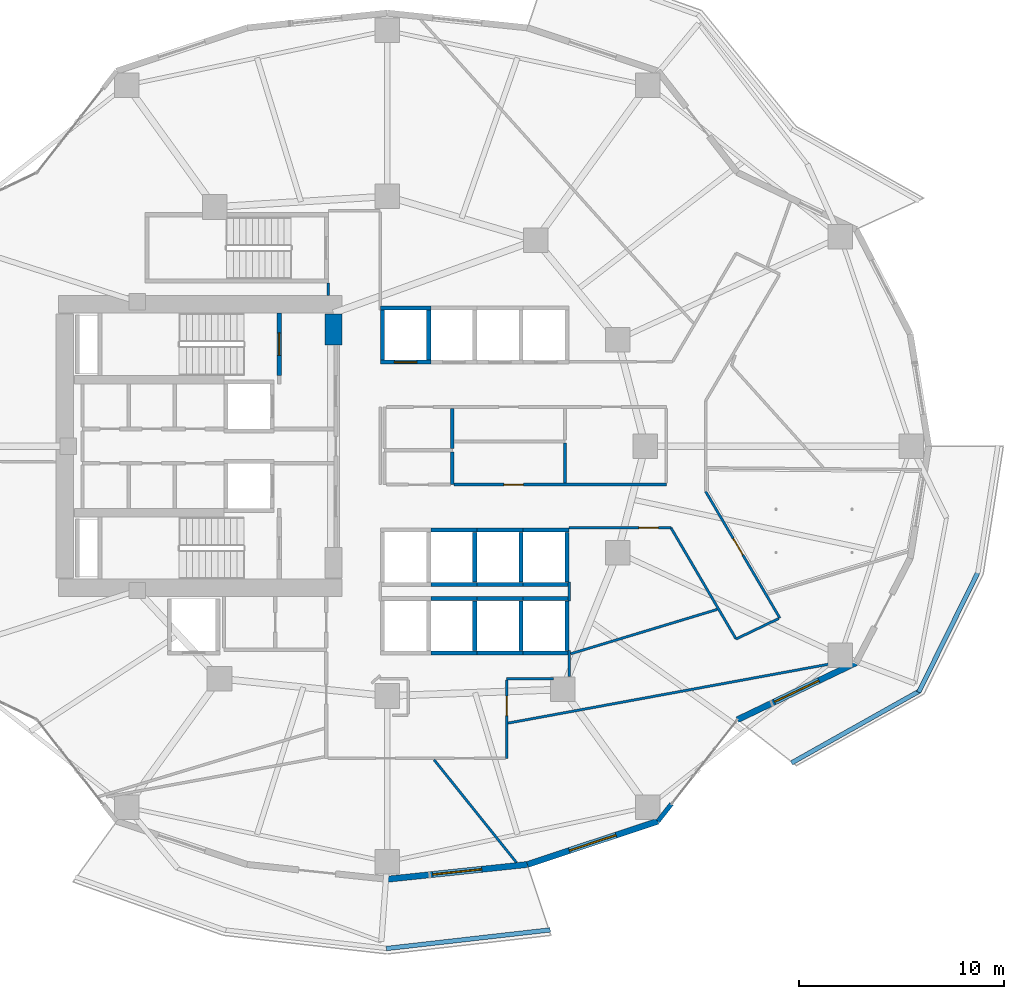
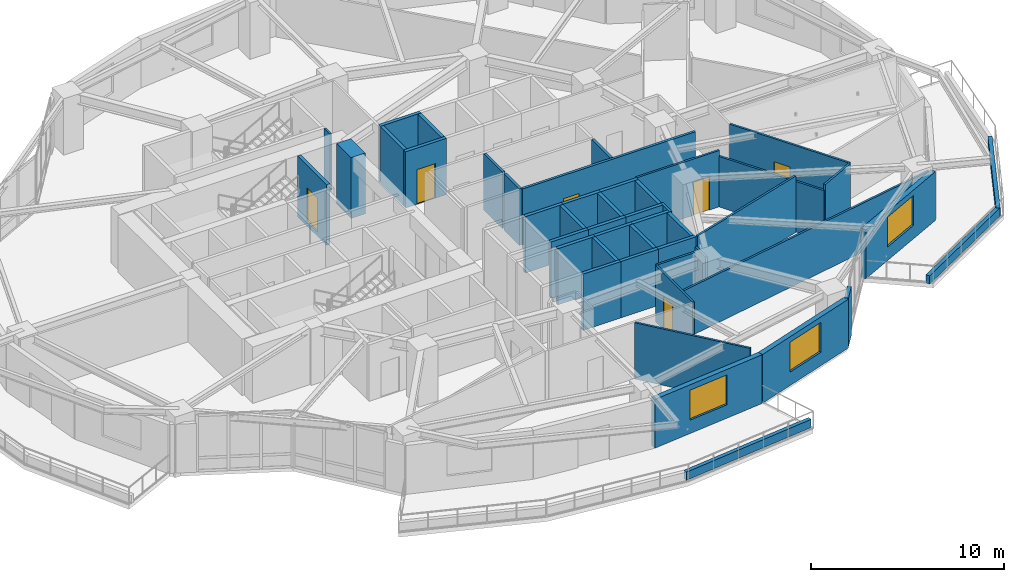
# One storey, part 10 of 18: 47 walls, 6 doors, 3 windows, 9 openings.
"""IFC4 building model written with IfcOpenShell, lengths in metres."""

from ifc_helpers import new_model, si_unit, direction, frame, frame_2d, origin, place, context, subcontext, project, spatial, rectangle, extrude, material, layer, layer_set, type_object, element, fill, save


model = new_model("IFC4")

# Units and contexts
model_context = context("Model", 3, precision=1e-05, world=origin(), true_north=direction((0.0, 1.0)))
body_context = subcontext(model_context, "Body", "Model", "MODEL_VIEW")
ifc_project = project(units=[si_unit("LENGTHUNIT", "METRE"), si_unit("AREAUNIT", "SQUARE_METRE"), si_unit("VOLUMEUNIT", "CUBIC_METRE"), si_unit("PLANEANGLEUNIT", "RADIAN"), si_unit("MASSUNIT", "GRAM", prefix="KILO")], contexts=[model_context])

# Site, building, storey
site_placement = place(None, origin())
site = spatial("IfcSite", under=ifc_project, at=site_placement, CompositionType="ELEMENT")
building_placement = place(site_placement, origin())
building = spatial("IfcBuilding", under=site, at=building_placement, Name="Kolvaren Gate Tower and Convention Centre", CompositionType="ELEMENT")
storey_placement = place(building_placement, frame((0.0, 0.0, 53.449951171875)))
storey = spatial("IfcBuildingStorey", under=building, at=storey_placement, Name="L12", CompositionType="ELEMENT", Elevation=53.449951171875)

# Wall
ifc_material_1 = material(Name="Fire-Rated Acoustic Gypsum Stud Partition", Category="gypsum")
ifc_layer_1 = layer(ifc_material_1, 0.1201171875)
ifc_layer_set_1 = layer_set([ifc_layer_1], Name="Fire-Rated Acoustic Gypsum Stud Partition")
wall_type_1 = type_object("IfcWallType", Name="ARCH-WL-PART-120", PredefinedType="PARTITIONING", material=ifc_layer_set_1)
wall_1_placement = place(storey_placement, frame((35.949951171875, 15.64990234375, 0.0), z_axis=(0.0, 0.0, 1.0), x_axis=(1.0, 0.0, 0.0)))
element("IfcWall", 1, at=wall_1_placement, inside=storey, type_object=wall_type_1, Name="Interior Partition WL-L12-INT-023", PredefinedType="PARTITIONING", context=body_context, shape_type="SweptSolid", body=[
    extrude(rectangle(XDim=2.291015625, YDim=0.1201171875, at=frame_2d((1.1455078125, 0.0))), origin(), (0.0, 0.0, 1.0), 3.570068359375),
])

# Wall, opening, door
wall_2_placement = place(storey_placement, frame((35.949951171875, 11.75, 0.0), z_axis=(0.0, 0.0, 1.0), x_axis=(0.0, 1.0, 0.0)))
wall_2 = element("IfcWall", 2, at=wall_2_placement, inside=storey, type_object=wall_type_1, Name="Interior Partition WL-L12-INT-024", PredefinedType="PARTITIONING", context=body_context, shape_type="SweptSolid", body=[
    extrude(rectangle(XDim=3.837890625, YDim=0.1201171875, at=frame_2d((1.9189453125, 0.0))), origin(), (0.0, 0.0, 1.0), 3.570068359375),
])
opening_1_placement = place(wall_2_placement, frame((2.092041015625, 0.0, 0.0)))
opening_1 = element("IfcOpeningElement", 3, at=opening_1_placement, cuts=wall_2, Name="Opening DR-01", PredefinedType="OPENING", context=body_context, shape_type="SweptSolid", body=[
    extrude(rectangle(XDim=0.949951171875, YDim=2.10009765625, at=frame_2d((0.47509765625, 1.050048828125))), frame((0.0, 0.070068359375, 0.0), z_axis=(0.0, -1.0, 0.0), x_axis=(1.0, 0.0, 0.0)), (0.0, 0.0, 1.0), 0.14013671875),
])
ifc_material_2 = material(Name="Painted Architectural Steelwork ASTM A500 Grade C 345 MPa", Category="steel")
door_type_1 = type_object("IfcDoorType", Name="ARCH-DR-RISER-950", OperationType="SINGLE_SWING_RIGHT", PredefinedType="DOOR", material=ifc_material_2)
door_1_placement = place(opening_1_placement, origin())
door_1 = element("IfcDoor", 4, at=door_1_placement, inside=storey, type_object=door_type_1, Name="Client Concierge Reception Door", OperationType="SINGLE_SWING_RIGHT", OverallHeight=2.10009765625, OverallWidth=0.949951171875, PredefinedType="DOOR", context=body_context, shape_type="SweptSolid", body=[
    extrude(rectangle(XDim=0.949951171875, YDim=2.10009765625, at=frame_2d((0.47509765625, 1.050048828125))), frame((0.0, 0.02490234375, 0.0), z_axis=(0.0, -1.0, 0.0), x_axis=(1.0, 0.0, 0.0)), (0.0, 0.0, 1.0), 0.050048828125),
])
fill(opening_1, door_1)

# Wall
wall_3_placement = place(storey_placement, frame((27.25, 34.35205078125, 0.0), z_axis=(0.0, 0.0, 1.0), x_axis=(0.0, 1.0, 0.0)))
element("IfcWall", 5, at=wall_3_placement, inside=storey, type_object=wall_type_1, Name="Interior Partition WL-L12-INT-026", PredefinedType="PARTITIONING", context=body_context, shape_type="SweptSolid", body=[
    extrude(rectangle(XDim=0.60595703125, YDim=0.1201171875, at=frame_2d((0.302978515625, 0.0))), origin(), (0.0, 0.0, 1.0), 3.570068359375),
])

# Wall, opening, door
wall_4_placement = place(storey_placement, frame((45.669921875, 24.79296875, 0.0), z_axis=(0.0, 0.0, 1.0), x_axis=(0.505584917928, -0.862776848764, 0.0)))
wall_4 = element("IfcWall", 6, at=wall_4_placement, inside=storey, type_object=wall_type_1, Name="Interior Partition WL-L12-INT-036", PredefinedType="PARTITIONING", context=body_context, shape_type="SweptSolid", body=[
    extrude(rectangle(XDim=7.169921875, YDim=0.1201171875, at=frame_2d((3.5849609375, 0.0))), origin(), (0.0, 0.0, 1.0), 3.570068359375),
])
opening_2_placement = place(wall_4_placement, frame((2.656494140625, 0.0, 0.0)))
opening_2 = element("IfcOpeningElement", 7, at=opening_2_placement, cuts=wall_4, Name="Opening DR-01", PredefinedType="OPENING", context=body_context, shape_type="SweptSolid", body=[
    extrude(rectangle(XDim=0.949951171875, YDim=2.10009765625, at=frame_2d((0.47509765625, 1.050048828125))), frame((0.0, 0.070068359375, 0.0), z_axis=(0.0, -1.0, 0.0), x_axis=(1.0, 0.0, 0.0)), (0.0, 0.0, 1.0), 0.14013671875),
])
door_2_placement = place(opening_2_placement, origin())
door_2 = element("IfcDoor", 8, at=door_2_placement, inside=storey, type_object=door_type_1, Name="Materials Exhibition Boutique Door", OperationType="SINGLE_SWING_RIGHT", OverallHeight=2.10009765625, OverallWidth=0.949951171875, PredefinedType="DOOR", context=body_context, shape_type="SweptSolid", body=[
    extrude(rectangle(XDim=0.949951171875, YDim=2.10009765625, at=frame_2d((0.47509765625, 1.050048828125))), frame((0.0, 0.02490234375, 0.0), z_axis=(0.0, -1.0, 0.0), x_axis=(1.0, 0.0, 0.0)), (0.0, 0.0, 1.0), 0.050048828125),
])
fill(opening_2, door_2)

# Walls
wall_5_placement = place(storey_placement, frame((47.160888671875, 17.5810546875, 0.0), z_axis=(0.0, 0.0, 1.0), x_axis=(0.901265146481, 0.433267972204, 0.0)))
element("IfcWall", 9, at=wall_5_placement, inside=storey, type_object=wall_type_1, Name="Interior Partition WL-L12-INT-037", PredefinedType="PARTITIONING", context=body_context, shape_type="SweptSolid", body=[
    extrude(rectangle(XDim=2.305908203125, YDim=0.1201171875, at=frame_2d((1.15283203125, 0.0))), origin(), (0.0, 0.0, 1.0), 3.570068359375),
])
wall_6_placement = place(storey_placement, frame((43.97412109375, 23.02001953125, 0.0), z_axis=(0.0, 0.0, 1.0), x_axis=(0.505531634194, -0.862808070679, 0.0)))
element("IfcWall", 10, at=wall_6_placement, inside=storey, type_object=wall_type_1, Name="Interior Partition WL-L12-INT-038", PredefinedType="PARTITIONING", context=body_context, shape_type="SweptSolid", body=[
    extrude(rectangle(XDim=6.3037109375, YDim=0.1201171875, at=frame_2d((3.15185546875, 0.0))), origin(), (0.0, 0.0, 1.0), 3.205078125),
])

# Wall, opening, door
wall_7_placement = place(storey_placement, frame((39.0, 23.02001953125, 0.0), z_axis=(0.0, 0.0, 1.0), x_axis=(1.0, 0.0, 0.0)))
wall_7 = element("IfcWall", 11, at=wall_7_placement, inside=storey, type_object=wall_type_1, Name="Interior Partition WL-L12-INT-039", PredefinedType="PARTITIONING", context=body_context, shape_type="SweptSolid", body=[
    extrude(rectangle(XDim=4.97412109375, YDim=0.1201171875, at=frame_2d((2.487060546875, 0.0))), origin(), (0.0, 0.0, 1.0), 3.570068359375),
])
opening_3_placement = place(wall_7_placement, frame((3.412109375, 0.0, 0.0)))
opening_3 = element("IfcOpeningElement", 12, at=opening_3_placement, cuts=wall_7, Name="Opening DR-01", PredefinedType="OPENING", context=body_context, shape_type="SweptSolid", body=[
    extrude(rectangle(XDim=0.949951171875, YDim=2.10009765625, at=frame_2d((0.47509765625, 1.050048828125))), frame((0.0, 0.070068359375, 0.0), z_axis=(0.0, -1.0, 0.0), x_axis=(1.0, 0.0, 0.0)), (0.0, 0.0, 1.0), 0.14013671875),
])
door_3_placement = place(opening_3_placement, origin())
door_3 = element("IfcDoor", 13, at=door_3_placement, inside=storey, type_object=door_type_1, Name="Client Concierge Reception Door", OperationType="SINGLE_SWING_LEFT", OverallHeight=2.10009765625, OverallWidth=0.949951171875, PredefinedType="DOOR", context=body_context, shape_type="SweptSolid", body=[
    extrude(rectangle(XDim=0.949951171875, YDim=2.10009765625, at=frame_2d((0.47509765625, 1.050048828125))), frame((0.0, 0.02490234375, 0.0), z_axis=(0.0, -1.0, 0.0), x_axis=(1.0, 0.0, 0.0)), (0.0, 0.0, 1.0), 0.050048828125),
])
fill(opening_3, door_3)

# Walls
wall_8_placement = place(storey_placement, frame((39.02001953125, 15.741943359375, 0.0), z_axis=(0.0, 0.0, 1.0), x_axis=(0.0, 1.0, 0.0)))
element("IfcWall", 14, at=wall_8_placement, inside=storey, type_object=wall_type_1, Name="Interior Partition WL-L12-INT-040", PredefinedType="PARTITIONING", context=body_context, shape_type="SweptSolid", body=[
    extrude(rectangle(XDim=1.26806640625, YDim=0.1201171875, at=frame_2d((0.634033203125, 0.0))), origin(), (0.0, 0.0, 1.0), 2.93408203125),
])
wall_9_placement = place(storey_placement, frame((39.02001953125, 19.43994140625, 0.0), z_axis=(0.0, 0.0, 1.0), x_axis=(0.0, 1.0, 0.0)))
element("IfcWall", 15, at=wall_9_placement, inside=storey, type_object=wall_type_1, Name="Interior Partition WL-L12-INT-040 (2)", PredefinedType="PARTITIONING", context=body_context, shape_type="SweptSolid", body=[
    extrude(rectangle(XDim=0.920166015625, YDim=0.1201171875, at=frame_2d((0.4599609375, 0.0))), origin(), (0.0, 0.0, 1.0), 3.570068359375),
])
wall_10_placement = place(storey_placement, frame((39.08203125, 16.860107421875, 0.0), z_axis=(0.0, 0.0, 1.0), x_axis=(0.957120973048, 0.289688527476, 0.0)))
element("IfcWall", 16, at=wall_10_placement, inside=storey, type_object=wall_type_1, Name="Interior Partition WL-L12-INT-048", PredefinedType="PARTITIONING", context=body_context, shape_type="SweptSolid", body=[
    extrude(rectangle(XDim=7.48046875, YDim=0.1201171875, at=frame_2d((3.740234375, 0.0))), origin(), (0.0, 0.0, 1.0), 3.570068359375),
])
wall_11_placement = place(storey_placement, frame((36.011962890625, 13.4716796875, 0.0), z_axis=(0.0, 0.0, 1.0), x_axis=(0.983545247648, 0.180661965641, 0.0)))
element("IfcWall", 17, at=wall_11_placement, inside=storey, type_object=wall_type_1, Name="Interior Partition WL-L12-INT-051", PredefinedType="PARTITIONING", context=body_context, shape_type="SweptSolid", body=[
    extrude(rectangle(XDim=17.0732421875, YDim=0.1201171875, at=frame_2d((8.53662109375, 0.0))), origin(), (0.0, 0.0, 1.0), 3.093017578125),
])
wall_12_placement = place(storey_placement, frame((32.40771484375, 11.68798828125, 0.0), z_axis=(0.0, 0.0, 1.0), x_axis=(0.625707614962, -0.780057677725, 0.0)))
element("IfcWall", 18, at=wall_12_placement, inside=storey, type_object=wall_type_1, Name="Interior Partition WL-L12-INT-052", PredefinedType="PARTITIONING", context=body_context, shape_type="SweptSolid", body=[
    extrude(rectangle(XDim=6.43603515625, YDim=0.1201171875, at=frame_2d((3.218017578125, 0.0))), origin(), (0.0, 0.0, 1.0), 3.570068359375),
])
ifc_material_3 = material(Name="Bogota Sabana Bush-Hammered Sandstone Cladding", Category="masonry")
ifc_layer_2 = layer(ifc_material_3, 0.219970703125)
ifc_layer_set_2 = layer_set([ifc_layer_2], Name="Bogota Sabana Bush-Hammered Sandstone Cladding")
wall_type_2 = type_object("IfcWallType", Name="ARCH-WL-PIER-220", PredefinedType="SOLIDWALL", material=ifc_layer_set_2)
wall_13_placement = place(storey_placement, frame((43.34375, 8.68359375, 0.0), z_axis=(0.0, 0.0, 1.0), x_axis=(0.616387780378, 0.787442762492, 0.0)))
element("IfcWall", 19, at=wall_13_placement, inside=storey, type_object=wall_type_2, Name="Tower L12 Unitised Curtain Wall CW-OFF-UNIT Bay 20 Left Column Pier Wrap", PredefinedType="SOLIDWALL", context=body_context, shape_type="SweptSolid", body=[
    extrude(rectangle(XDim=1.076171875, YDim=0.219970703125, at=frame_2d((0.5380859375, 0.0))), origin(), (0.0, 0.0, 1.0), 3.093017578125),
])
ifc_material_4 = material(Name="Piedmont Cream Honed Limestone Cladding", Category="masonry")
ifc_layer_3 = layer(ifc_material_4, 0.219970703125)
ifc_layer_set_3 = layer_set([ifc_layer_3], Name="Piedmont Cream Honed Limestone Cladding")
wall_type_3 = type_object("IfcWallType", Name="ARCH-WL-PLANTER-220", PredefinedType="PARAPET", material=ifc_layer_set_3)
wall_14_placement = place(storey_placement, frame((30.07958984375, 2.46630859375, 0.0), z_axis=(0.0, 0.0, 1.0), x_axis=(0.993598144351, 0.112972242349, 0.0)))
element("IfcWall", 20, at=wall_14_placement, inside=storey, type_object=wall_type_3, Name="Vertical-Forest Balcony Stone Planter Kerb PK-L12-3.3", PredefinedType="PARAPET", context=body_context, shape_type="SweptSolid", body=[
    extrude(rectangle(XDim=8.056396484375, YDim=0.219970703125, at=frame_2d((4.0283203125, 0.0))), origin(), (0.0, 0.0, 1.0), 0.52001953125),
])
wall_15_placement = place(storey_placement, frame((49.867919921875, 11.530517578125, 0.0), z_axis=(0.0, 0.0, 1.0), x_axis=(0.871775109335, 0.489906275468, 0.0)))
element("IfcWall", 21, at=wall_15_placement, inside=storey, type_object=wall_type_3, Name="Vertical-Forest Balcony Stone Planter Kerb PK-L12-4.1", PredefinedType="PARAPET", context=body_context, shape_type="SweptSolid", body=[
    extrude(rectangle(XDim=7.152099609375, YDim=0.219970703125, at=frame_2d((3.576171875, 0.0))), origin(), (0.0, 0.0, 1.0), 0.52001953125),
])
wall_16_placement = place(storey_placement, frame((56.077392578125, 14.978515625, 0.0), z_axis=(0.0, 0.0, 1.0), x_axis=(0.442686636348, 0.89667638644, 0.0)))
element("IfcWall", 22, at=wall_16_placement, inside=storey, type_object=wall_type_3, Name="Vertical-Forest Balcony Stone Planter Kerb PK-L12-4.2", PredefinedType="PARAPET", context=body_context, shape_type="SweptSolid", body=[
    extrude(rectangle(XDim=6.544677734375, YDim=0.219970703125, at=frame_2d((3.2724609375, 0.0))), origin(), (0.0, 0.0, 1.0), 0.52001953125),
])
ifc_material_5 = material(Name="Autoclaved Aerated Masonry Blockwork Class 4 (4.0 MPa)", Category="masonry")
ifc_layer_4 = layer(ifc_material_5, 0.199951171875)
ifc_layer_set_4 = layer_set([ifc_layer_4], Name="Autoclaved Aerated Masonry Blockwork Class 4 (4.0 MPa)")
wall_type_4 = type_object("IfcWallType", Name="ARCH-WL-SHAFT-200", PredefinedType="SOLIDWALL", material=ifc_layer_set_4)
wall_17_placement = place(storey_placement, frame((29.800048828125, 33.75, 0.0), z_axis=(0.0, 0.0, 1.0), x_axis=(1.0, 0.0, 0.0)))
element("IfcWall", 23, at=wall_17_placement, inside=storey, type_object=wall_type_4, Name="Elevator PL-01 L12 Fire Shaft Wall N", PredefinedType="SOLIDWALL", context=body_context, shape_type="SweptSolid", body=[
    extrude(rectangle(XDim=2.449951171875, YDim=0.199951171875, at=frame_2d((1.22509765625, 0.0))), origin(), (0.0, 0.0, 1.0), 3.570068359375),
])

# Wall, opening, door
wall_18_placement = place(storey_placement, frame((29.800048828125, 31.10009765625, 0.0), z_axis=(0.0, 0.0, 1.0), x_axis=(1.0, 0.0, 0.0)))
wall_18 = element("IfcWall", 24, at=wall_18_placement, inside=storey, type_object=wall_type_4, Name="Elevator PL-01 L12 Fire Shaft Wall S", PredefinedType="SOLIDWALL", context=body_context, shape_type="SweptSolid", body=[
    extrude(rectangle(XDim=2.449951171875, YDim=0.199951171875, at=frame_2d((1.22509765625, 0.0))), origin(), (0.0, 0.0, 1.0), 3.570068359375),
])
opening_4_placement = place(wall_18_placement, frame((0.675048828125, 0.0, 0.0)))
opening_4 = element("IfcOpeningElement", 25, at=opening_4_placement, cuts=wall_18, Name="Opening LD", PredefinedType="OPENING", context=body_context, shape_type="SweptSolid", body=[
    extrude(rectangle(XDim=1.10009765625, YDim=2.199951171875, at=frame_2d((0.550048828125, 1.10009765625))), frame((0.0, 0.10986328125, 0.0), z_axis=(0.0, -1.0, 0.0), x_axis=(1.0, 0.0, 0.0)), (0.0, 0.0, 1.0), 0.219970703125),
])
ifc_material_6 = material(Name="Brushed Stainless Steel Grade 316L", Category="steel")
door_type_2 = type_object("IfcDoorType", Name="ARCH-DR-LIFT-1100", OperationType="SLIDING_TO_LEFT", PredefinedType="DOOR", material=ifc_material_6)
door_4_placement = place(opening_4_placement, origin())
door_4 = element("IfcDoor", 26, at=door_4_placement, inside=storey, type_object=door_type_2, Name="Elevator PL-01 L12 Sliding Landing Door", OperationType="SLIDING_TO_LEFT", OverallHeight=2.199951171875, OverallWidth=1.10009765625, PredefinedType="DOOR", context=body_context, shape_type="SweptSolid", body=[
    extrude(rectangle(XDim=1.10009765625, YDim=2.199951171875, at=frame_2d((0.550048828125, 1.10009765625))), frame((0.0, 0.02490234375, 0.0), z_axis=(0.0, -1.0, 0.0), x_axis=(1.0, 0.0, 0.0)), (0.0, 0.0, 1.0), 0.050048828125),
])
fill(opening_4, door_4)

# Walls
for number, where, z_axis, x_axis, name in (
    (27, (29.89990234375, 31.2099609375, 0.0), (0.0, 0.0, 1.0), (0.0, 1.0, 0.0), "Elevator PL-01 L12 Fire Shaft Wall W"),
    (28, (32.14990234375, 31.2099609375, 0.0), (0.0, 0.0, 1.0), (0.0, 1.0, 0.0), "Elevator PL-01 L12 Fire Shaft Wall E"),
):
    element("IfcWall", number, at=place(storey_placement, frame(where, z_axis=z_axis, x_axis=x_axis)), inside=storey, type_object=wall_type_4, Name=name, PredefinedType="SOLIDWALL", context=body_context, shape_type="SweptSolid", body=[
        extrude(rectangle(XDim=2.429931640625, YDim=0.199951171875, at=frame_2d((1.21484375, 0.0))), origin(), (0.0, 0.0, 1.0), 3.570068359375),
    ])
for number, where, z_axis, x_axis, name in (
    (29, (32.25, 19.550048828125, 0.0), (0.0, 0.0, 1.0), (1.0, 0.0, 0.0), "Elevator PL-06 L12 Fire Shaft Wall N"),
    (30, (32.25, 16.89990234375, 0.0), (0.0, 0.0, 1.0), (1.0, 0.0, 0.0), "Elevator PL-06 L12 Fire Shaft Wall S"),
):
    element("IfcWall", number, at=place(storey_placement, frame(where, z_axis=z_axis, x_axis=x_axis)), inside=storey, type_object=wall_type_4, Name=name, PredefinedType="SOLIDWALL", context=body_context, shape_type="SweptSolid", body=[
        extrude(rectangle(XDim=2.25, YDim=0.199951171875, at=frame_2d((1.125, 0.0))), origin(), (0.0, 0.0, 1.0), 3.570068359375),
    ])
wall_19_placement = place(storey_placement, frame((34.39990234375, 17.010009765625, 0.0), z_axis=(0.0, 0.0, 1.0), x_axis=(0.0, 1.0, 0.0)))
element("IfcWall", 31, at=wall_19_placement, inside=storey, type_object=wall_type_4, Name="Elevator PL-06 L12 Fire Shaft Wall E", PredefinedType="SOLIDWALL", context=body_context, shape_type="SweptSolid", body=[
    extrude(rectangle(XDim=2.429931640625, YDim=0.199951171875, at=frame_2d((1.21484375, 0.0))), origin(), (0.0, 0.0, 1.0), 3.570068359375),
])
for number, where, z_axis, x_axis, name in (
    (32, (34.5, 19.550048828125, 0.0), (0.0, 0.0, 1.0), (1.0, 0.0, 0.0), "Elevator PL-07 L12 Fire Shaft Wall N"),
    (33, (34.5, 16.89990234375, 0.0), (0.0, 0.0, 1.0), (1.0, 0.0, 0.0), "Elevator PL-07 L12 Fire Shaft Wall S"),
):
    element("IfcWall", number, at=place(storey_placement, frame(where, z_axis=z_axis, x_axis=x_axis)), inside=storey, type_object=wall_type_4, Name=name, PredefinedType="SOLIDWALL", context=body_context, shape_type="SweptSolid", body=[
        extrude(rectangle(XDim=2.25, YDim=0.199951171875, at=frame_2d((1.125, 0.0))), origin(), (0.0, 0.0, 1.0), 3.570068359375),
    ])
wall_20_placement = place(storey_placement, frame((36.64990234375, 17.010009765625, 0.0), z_axis=(0.0, 0.0, 1.0), x_axis=(0.0, 1.0, 0.0)))
element("IfcWall", 34, at=wall_20_placement, inside=storey, type_object=wall_type_4, Name="Elevator PL-07 L12 Fire Shaft Wall E", PredefinedType="SOLIDWALL", context=body_context, shape_type="SweptSolid", body=[
    extrude(rectangle(XDim=2.429931640625, YDim=0.199951171875, at=frame_2d((1.21484375, 0.0))), origin(), (0.0, 0.0, 1.0), 3.570068359375),
])
for number, where, z_axis, x_axis, name in (
    (35, (36.75, 19.550048828125, 0.0), (0.0, 0.0, 1.0), (1.0, 0.0, 0.0), "Elevator PL-08 L12 Fire Shaft Wall N"),
    (36, (36.75, 16.89990234375, 0.0), (0.0, 0.0, 1.0), (1.0, 0.0, 0.0), "Elevator PL-08 L12 Fire Shaft Wall S"),
):
    element("IfcWall", number, at=place(storey_placement, frame(where, z_axis=z_axis, x_axis=x_axis)), inside=storey, type_object=wall_type_4, Name=name, PredefinedType="SOLIDWALL", context=body_context, shape_type="SweptSolid", body=[
        extrude(rectangle(XDim=2.25, YDim=0.199951171875, at=frame_2d((1.125, 0.0))), origin(), (0.0, 0.0, 1.0), 3.570068359375),
    ])
wall_21_placement = place(storey_placement, frame((38.89990234375, 17.010009765625, 0.0), z_axis=(0.0, 0.0, 1.0), x_axis=(0.0, 1.0, 0.0)))
element("IfcWall", 37, at=wall_21_placement, inside=storey, type_object=wall_type_4, Name="Elevator PL-08 L12 Fire Shaft Wall E", PredefinedType="SOLIDWALL", context=body_context, shape_type="SweptSolid", body=[
    extrude(rectangle(XDim=2.429931640625, YDim=0.199951171875, at=frame_2d((1.21484375, 0.0))), origin(), (0.0, 0.0, 1.0), 3.570068359375),
])
for number, where, z_axis, x_axis, name in (
    (38, (32.25, 22.89990234375, 0.0), (0.0, 0.0, 1.0), (1.0, 0.0, 0.0), "Elevator PL-10 L12 Fire Shaft Wall N"),
    (39, (32.25, 20.25, 0.0), (0.0, 0.0, 1.0), (1.0, 0.0, 0.0), "Elevator PL-10 L12 Fire Shaft Wall S"),
):
    element("IfcWall", number, at=place(storey_placement, frame(where, z_axis=z_axis, x_axis=x_axis)), inside=storey, type_object=wall_type_4, Name=name, PredefinedType="SOLIDWALL", context=body_context, shape_type="SweptSolid", body=[
        extrude(rectangle(XDim=2.25, YDim=0.199951171875, at=frame_2d((1.125, 0.0))), origin(), (0.0, 0.0, 1.0), 3.570068359375),
    ])
wall_22_placement = place(storey_placement, frame((34.39990234375, 20.360107421875, 0.0), z_axis=(0.0, 0.0, 1.0), x_axis=(0.0, 1.0, 0.0)))
element("IfcWall", 40, at=wall_22_placement, inside=storey, type_object=wall_type_4, Name="Elevator PL-10 L12 Fire Shaft Wall E", PredefinedType="SOLIDWALL", context=body_context, shape_type="SweptSolid", body=[
    extrude(rectangle(XDim=2.429931640625, YDim=0.199951171875, at=frame_2d((1.21484375, 0.0))), origin(), (0.0, 0.0, 1.0), 3.570068359375),
])
for number, where, z_axis, x_axis, name in (
    (41, (34.5, 22.89990234375, 0.0), (0.0, 0.0, 1.0), (1.0, 0.0, 0.0), "Elevator PL-11 L12 Fire Shaft Wall N"),
    (42, (34.5, 20.25, 0.0), (0.0, 0.0, 1.0), (1.0, 0.0, 0.0), "Elevator PL-11 L12 Fire Shaft Wall S"),
):
    element("IfcWall", number, at=place(storey_placement, frame(where, z_axis=z_axis, x_axis=x_axis)), inside=storey, type_object=wall_type_4, Name=name, PredefinedType="SOLIDWALL", context=body_context, shape_type="SweptSolid", body=[
        extrude(rectangle(XDim=2.25, YDim=0.199951171875, at=frame_2d((1.125, 0.0))), origin(), (0.0, 0.0, 1.0), 3.570068359375),
    ])
wall_23_placement = place(storey_placement, frame((36.64990234375, 20.360107421875, 0.0), z_axis=(0.0, 0.0, 1.0), x_axis=(0.0, 1.0, 0.0)))
element("IfcWall", 43, at=wall_23_placement, inside=storey, type_object=wall_type_4, Name="Elevator PL-11 L12 Fire Shaft Wall E", PredefinedType="SOLIDWALL", context=body_context, shape_type="SweptSolid", body=[
    extrude(rectangle(XDim=2.429931640625, YDim=0.199951171875, at=frame_2d((1.21484375, 0.0))), origin(), (0.0, 0.0, 1.0), 3.570068359375),
])
for number, where, z_axis, x_axis, name in (
    (44, (36.75, 22.89990234375, 0.0), (0.0, 0.0, 1.0), (1.0, 0.0, 0.0), "Elevator PL-12 L12 Fire Shaft Wall N"),
    (45, (36.75, 20.25, 0.0), (0.0, 0.0, 1.0), (1.0, 0.0, 0.0), "Elevator PL-12 L12 Fire Shaft Wall S"),
):
    element("IfcWall", number, at=place(storey_placement, frame(where, z_axis=z_axis, x_axis=x_axis)), inside=storey, type_object=wall_type_4, Name=name, PredefinedType="SOLIDWALL", context=body_context, shape_type="SweptSolid", body=[
        extrude(rectangle(XDim=2.25, YDim=0.199951171875, at=frame_2d((1.125, 0.0))), origin(), (0.0, 0.0, 1.0), 3.570068359375),
    ])
wall_24_placement = place(storey_placement, frame((38.89990234375, 20.360107421875, 0.0), z_axis=(0.0, 0.0, 1.0), x_axis=(0.0, 1.0, 0.0)))
element("IfcWall", 46, at=wall_24_placement, inside=storey, type_object=wall_type_4, Name="Elevator PL-12 L12 Fire Shaft Wall E", PredefinedType="SOLIDWALL", context=body_context, shape_type="SweptSolid", body=[
    extrude(rectangle(XDim=2.429931640625, YDim=0.199951171875, at=frame_2d((1.21484375, 0.0))), origin(), (0.0, 0.0, 1.0), 3.570068359375),
])

# Wall, opening, window
ifc_layer_5 = layer(ifc_material_4, 0.300048828125)
ifc_layer_set_5 = layer_set([ifc_layer_5], Name="Piedmont Cream Honed Limestone Cladding")
wall_type_5 = type_object("IfcWallType", Name="ARCH-WL-STONE-300", PredefinedType="SOLIDWALL", material=ifc_layer_set_5)
wall_25_placement = place(storey_placement, frame((30.125, 5.85009765625, 0.0), z_axis=(0.0, 0.0, 1.0), x_axis=(0.994498840295, 0.104747585419, 0.0)))
wall_25 = element("IfcWall", 47, at=wall_25_placement, inside=storey, type_object=wall_type_5, Name="Tower L12 Honed Stone Spandrel Wall EW-18", PredefinedType="SOLIDWALL", context=body_context, shape_type="SweptSolid", body=[
    extrude(rectangle(XDim=6.88037109375, YDim=0.300048828125, at=frame_2d((3.440185546875, 0.0))), origin(), (0.0, 0.0, 1.0), 3.093017578125),
])
opening_5_placement = place(wall_25_placement, frame((2.239990234375, 0.0, 0.85009765625)))
opening_5 = element("IfcOpeningElement", 48, at=opening_5_placement, cuts=wall_25, Name="Opening W-01", PredefinedType="OPENING", context=body_context, shape_type="SweptSolid", body=[
    extrude(rectangle(XDim=2.39990234375, YDim=1.89990234375, at=frame_2d((1.199951171875, 0.949951171875))), frame((0.0, 0.159912109375, 0.0), z_axis=(0.0, -1.0, 0.0), x_axis=(1.0, 0.0, 0.0)), (0.0, 0.0, 1.0), 0.320068359375),
])
ifc_material_7 = material(Name="Low-E Triple Insulated Glazing Unit 44 mm", Category="glass")
window_type = type_object("IfcWindowType", Name="ARCH-WN-OFF-2400", PartitioningType="SINGLE_PANEL", PredefinedType="WINDOW", material=ifc_material_7)
window_1_placement = place(opening_5_placement, origin())
window_1 = element("IfcWindow", 49, at=window_1_placement, inside=storey, type_object=window_type, Name="Tower L12 Punched Stone Facade Window W-18", OverallHeight=1.89990234375, OverallWidth=2.39990234375, PartitioningType="SINGLE_PANEL", PredefinedType="WINDOW", context=body_context, shape_type="SweptSolid", body=[
    extrude(rectangle(XDim=2.39990234375, YDim=1.89990234375, at=frame_2d((1.199951171875, 0.949951171875))), frame((0.0, 0.030029296875, 0.0), z_axis=(0.0, -1.0, 0.0), x_axis=(1.0, 0.0, 0.0)), (0.0, 0.0, 1.0), 0.06005859375),
])
fill(opening_5, window_1)

wall_26_placement = place(storey_placement, frame((36.967529296875, 6.57080078125, 0.0), z_axis=(0.0, 0.0, 1.0), x_axis=(0.949245153629, 0.314537181127, 0.0)))
wall_26 = element("IfcWall", 50, at=wall_26_placement, inside=storey, type_object=wall_type_5, Name="Tower L12 Honed Stone Spandrel Wall EW-19", PredefinedType="SOLIDWALL", context=body_context, shape_type="SweptSolid", body=[
    extrude(rectangle(XDim=6.717041015625, YDim=0.300048828125, at=frame_2d((3.3583984375, 0.0))), origin(), (0.0, 0.0, 1.0), 3.093017578125),
])
opening_6_placement = place(wall_26_placement, frame((2.158935546875, 0.0, 0.85009765625)))
opening_6 = element("IfcOpeningElement", 51, at=opening_6_placement, cuts=wall_26, Name="Opening W-01", PredefinedType="OPENING", context=body_context, shape_type="SweptSolid", body=[
    extrude(rectangle(XDim=2.39990234375, YDim=1.89990234375, at=frame_2d((1.199951171875, 0.949951171875))), frame((0.0, 0.159912109375, 0.0), z_axis=(0.0, -1.0, 0.0), x_axis=(1.0, 0.0, 0.0)), (0.0, 0.0, 1.0), 0.320068359375),
])
window_2_placement = place(opening_6_placement, origin())
window_2 = element("IfcWindow", 52, at=window_2_placement, inside=storey, type_object=window_type, Name="Tower L12 Punched Stone Facade Window W-19", OverallHeight=1.89990234375, OverallWidth=2.39990234375, PartitioningType="SINGLE_PANEL", PredefinedType="WINDOW", context=body_context, shape_type="SweptSolid", body=[
    extrude(rectangle(XDim=2.39990234375, YDim=1.89990234375, at=frame_2d((1.199951171875, 0.949951171875))), frame((0.0, 0.030029296875, 0.0), z_axis=(0.0, -1.0, 0.0), x_axis=(1.0, 0.0, 0.0)), (0.0, 0.0, 1.0), 0.06005859375),
])
fill(opening_6, window_2)

wall_27_placement = place(storey_placement, frame((47.223876953125, 13.639892578125, 0.0), z_axis=(0.0, 0.0, 1.0), x_axis=(0.901354747727, 0.433081538224, 0.0)))
wall_27 = element("IfcWall", 53, at=wall_27_placement, inside=storey, type_object=wall_type_5, Name="Tower L12 Honed Stone Spandrel Wall EW-21", PredefinedType="SOLIDWALL", context=body_context, shape_type="SweptSolid", body=[
    extrude(rectangle(XDim=6.430908203125, YDim=0.300048828125, at=frame_2d((3.21533203125, 0.0))), origin(), (0.0, 0.0, 1.0), 3.093017578125),
])
opening_7_placement = place(wall_27_placement, frame((2.014892578125, 0.0, 0.85009765625)))
opening_7 = element("IfcOpeningElement", 54, at=opening_7_placement, cuts=wall_27, Name="Opening W-01", PredefinedType="OPENING", context=body_context, shape_type="SweptSolid", body=[
    extrude(rectangle(XDim=2.39990234375, YDim=1.89990234375, at=frame_2d((1.199951171875, 0.949951171875))), frame((0.0, 0.159912109375, 0.0), z_axis=(0.0, -1.0, 0.0), x_axis=(1.0, 0.0, 0.0)), (0.0, 0.0, 1.0), 0.320068359375),
])
window_3_placement = place(opening_7_placement, origin())
window_3 = element("IfcWindow", 55, at=window_3_placement, inside=storey, type_object=window_type, Name="Tower L12 Punched Stone Facade Window W-21", OverallHeight=1.89990234375, OverallWidth=2.39990234375, PartitioningType="SINGLE_PANEL", PredefinedType="WINDOW", context=body_context, shape_type="SweptSolid", body=[
    extrude(rectangle(XDim=2.39990234375, YDim=1.89990234375, at=frame_2d((1.199951171875, 0.949951171875))), frame((0.0, 0.030029296875, 0.0), z_axis=(0.0, -1.0, 0.0), x_axis=(1.0, 0.0, 0.0)), (0.0, 0.0, 1.0), 0.06005859375),
])
fill(opening_7, window_3)

# Walls
ifc_material_8 = material(Name="Moisture-Resistant Cement-Board Acoustic Partition", Category="gypsum")
ifc_layer_6 = layer(ifc_material_8, 0.14990234375)
ifc_layer_set_6 = layer_set([ifc_layer_6], Name="Moisture-Resistant Cement-Board Acoustic Partition")
wall_type_6 = type_object("IfcWallType", Name="ARCH-WL-WET-150", PredefinedType="PARTITIONING", material=ifc_layer_set_6)
wall_28_placement = place(storey_placement, frame((33.300048828125, 25.1201171875, 0.0), z_axis=(0.0, 0.0, 1.0), x_axis=(0.0, 1.0, 0.0)))
element("IfcWall", 56, at=wall_28_placement, inside=storey, type_object=wall_type_6, Name="Interior Partition WL-L12-INT-018", PredefinedType="PARTITIONING", context=body_context, shape_type="SweptSolid", body=[
    extrude(rectangle(XDim=1.602783203125, YDim=0.14990234375, at=frame_2d((0.80126953125, 0.0))), origin(), (0.0, 0.0, 1.0), 3.570068359375),
])
wall_29_placement = place(storey_placement, frame((33.300048828125, 26.876953125, 0.0), z_axis=(0.0, 0.0, 1.0), x_axis=(0.0, 1.0, 0.0)))
element("IfcWall", 57, at=wall_29_placement, inside=storey, type_object=wall_type_6, Name="Interior Partition WL-L12-INT-018 (2)", PredefinedType="PARTITIONING", context=body_context, shape_type="SweptSolid", body=[
    extrude(rectangle(XDim=1.966064453125, YDim=0.14990234375, at=frame_2d((0.98291015625, 0.0))), origin(), (0.0, 0.0, 1.0), 3.570068359375),
])

# Wall, opening, door
wall_30_placement = place(storey_placement, frame((33.376953125, 25.1201171875, 0.0), z_axis=(0.0, 0.0, 1.0), x_axis=(1.0, 0.0, 0.0)))
wall_30 = element("IfcWall", 58, at=wall_30_placement, inside=storey, type_object=wall_type_6, Name="Interior Partition WL-L12-INT-019 (2)", PredefinedType="PARTITIONING", context=body_context, shape_type="SweptSolid", body=[
    extrude(rectangle(XDim=10.373046875, YDim=0.14990234375, at=frame_2d((5.1865234375, 0.0))), origin(), (0.0, 0.0, 1.0), 3.570068359375),
])
opening_8_placement = place(wall_30_placement, frame((2.44140625, 0.0, 0.0)))
opening_8 = element("IfcOpeningElement", 59, at=opening_8_placement, cuts=wall_30, Name="Opening DR-01", PredefinedType="OPENING", context=body_context, shape_type="SweptSolid", body=[
    extrude(rectangle(XDim=0.949951171875, YDim=2.10009765625, at=frame_2d((0.47509765625, 1.050048828125))), frame((0.0, 0.0849609375, 0.0), z_axis=(0.0, -1.0, 0.0), x_axis=(1.0, 0.0, 0.0)), (0.0, 0.0, 1.0), 0.169921875),
])
door_5_placement = place(opening_8_placement, origin())
door_5 = element("IfcDoor", 60, at=door_5_placement, inside=storey, type_object=door_type_1, Name="Floor Coffee Pantry Door", OperationType="SINGLE_SWING_RIGHT", OverallHeight=2.10009765625, OverallWidth=0.949951171875, PredefinedType="DOOR", context=body_context, shape_type="SweptSolid", body=[
    extrude(rectangle(XDim=0.949951171875, YDim=2.10009765625, at=frame_2d((0.47509765625, 1.050048828125))), frame((0.0, 0.02490234375, 0.0), z_axis=(0.0, -1.0, 0.0), x_axis=(1.0, 0.0, 0.0)), (0.0, 0.0, 1.0), 0.050048828125),
])
fill(opening_8, door_5)

# Walls
wall_31_placement = place(storey_placement, frame((38.800048828125, 25.197021484375, 0.0), z_axis=(0.0, 0.0, 1.0), x_axis=(0.0, 1.0, 0.0)))
element("IfcWall", 61, at=wall_31_placement, inside=storey, type_object=wall_type_6, Name="Interior Partition WL-L12-INT-021", PredefinedType="PARTITIONING", context=body_context, shape_type="SweptSolid", body=[
    extrude(rectangle(XDim=1.946044921875, YDim=0.14990234375, at=frame_2d((0.97314453125, 0.0))), origin(), (0.0, 0.0, 1.0), 3.570068359375),
])
ifc_material_9 = material(Name="Concrete C70/85", Category="concrete")
ifc_layer_7 = layer(ifc_material_9, 0.85009765625)
ifc_layer_set_7 = layer_set([ifc_layer_7], Name="Concrete C70/85")
wall_type_7 = type_object("IfcWallType", Name="STR-WL-CORE-850", PredefinedType="SHEAR", material=ifc_layer_set_7)
wall_32_placement = place(storey_placement, frame((27.5, 31.949951171875, -0.280029296875), z_axis=(0.0, 0.0, 1.0), x_axis=(0.0, 1.0, 0.0)))
element("IfcWall", 62, at=wall_32_placement, inside=storey, type_object=wall_type_7, Name="Tower L12 Offset Core Shear Wall EN", PredefinedType="SHEAR", context=body_context, shape_type="SweptSolid", body=[
    extrude(rectangle(XDim=1.5, YDim=0.85009765625, at=frame_2d((0.75, 0.0))), origin(), (0.0, 0.0, 1.0), 3.85009765625),
])

# Wall, opening, door
ifc_material_10 = material(Name="Concrete C50/60", Category="concrete")
ifc_layer_8 = layer(ifc_material_10, 0.199951171875)
ifc_layer_set_8 = layer_set([ifc_layer_8], Name="Concrete C50/60")
wall_type_8 = type_object("IfcWallType", Name="STR-WL-SHAFT-200", PredefinedType="SHEAR", material=ifc_layer_set_8)
wall_33_placement = place(storey_placement, frame((24.85009765625, 30.4599609375, -0.280029296875), z_axis=(0.0, 0.0, 1.0), x_axis=(0.0, 1.0, 0.0)))
wall_33 = element("IfcWall", 63, at=wall_33_placement, inside=storey, type_object=wall_type_8, Name="Tower North Exit Stair ST-T1 L12 Structural Shear Enclosure Wall NEAR", PredefinedType="SHEAR", context=body_context, shape_type="SweptSolid", body=[
    extrude(rectangle(XDim=3.0380859375, YDim=0.199951171875, at=frame_2d((1.51904296875, 0.0))), origin(), (0.0, 0.0, 1.0), 3.85009765625),
])
opening_9_placement = place(wall_33_placement, frame((0.968994140625, 0.0, 0.280029296875)))
opening_9 = element("IfcOpeningElement", 64, at=opening_9_placement, cuts=wall_33, Name="Opening DS-01", PredefinedType="OPENING", context=body_context, shape_type="SweptSolid", body=[
    extrude(rectangle(XDim=1.10009765625, YDim=2.14990234375, at=frame_2d((0.550048828125, 1.074951171875))), frame((0.0, 0.10986328125, 0.0), z_axis=(0.0, -1.0, 0.0), x_axis=(1.0, 0.0, 0.0)), (0.0, 0.0, 1.0), 0.219970703125),
])
door_type_3 = type_object("IfcDoorType", Name="ARCH-DR-STAIR-1100", OperationType="SINGLE_SWING_LEFT", PredefinedType="DOOR", material=ifc_material_2)
door_6_placement = place(opening_9_placement, origin())
door_6 = element("IfcDoor", 65, at=door_6_placement, inside=storey, type_object=door_type_3, Name="Tower North Exit Stair ST-T1 L12 Fire Exit Stair Door", OperationType="SINGLE_SWING_RIGHT", OverallHeight=2.14990234375, OverallWidth=1.10009765625, PredefinedType="DOOR", context=body_context, shape_type="SweptSolid", body=[
    extrude(rectangle(XDim=1.10009765625, YDim=2.14990234375, at=frame_2d((0.550048828125, 1.074951171875))), frame((0.0, 0.02490234375, 0.0), z_axis=(0.0, -1.0, 0.0), x_axis=(1.0, 0.0, 0.0)), (0.0, 0.0, 1.0), 0.050048828125),
])
fill(opening_9, door_6)

save(model, "model.ifc")
